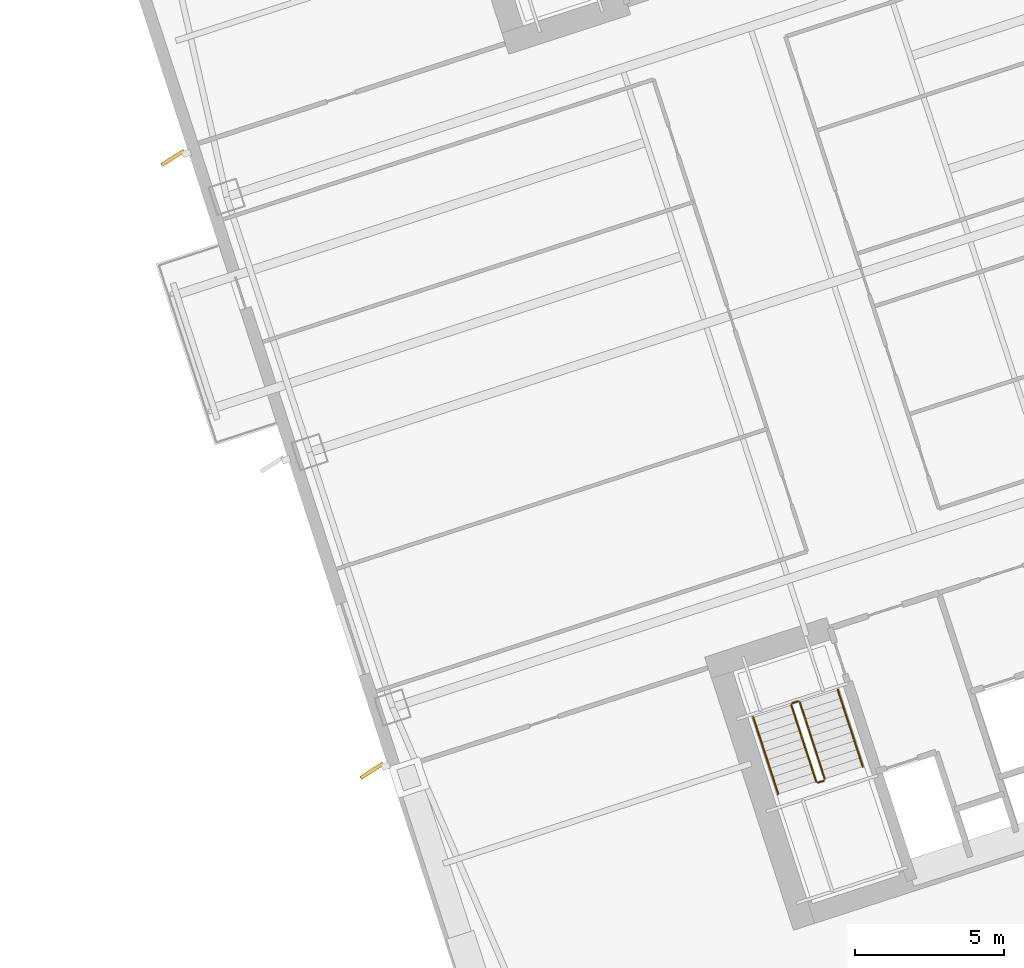
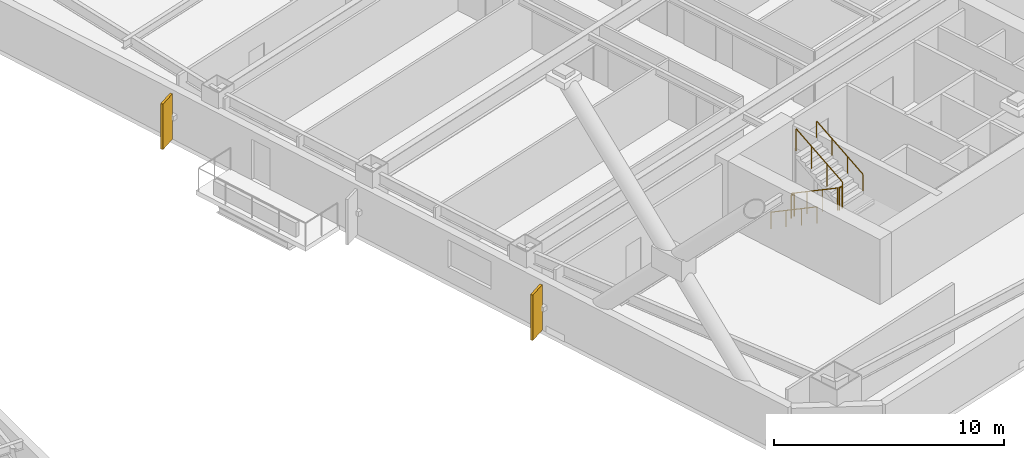
# One storey, part 16 of 18: 6 railings, 2 shading devices.
"""IFC4 building model written with IfcOpenShell, lengths in metres."""

from ifc_helpers import new_model, si_unit, direction, frame, origin, origin_2d, place, context, subcontext, project, spatial, rectangle, circle, extrude, material, layer, layer_set, type_object, element, save


model = new_model("IFC4")

# Units and contexts
model_context = context("Model", 3, precision=1e-05, world=origin(), true_north=direction((0.0, 1.0)))
body_context = subcontext(model_context, "Body", "Model", "MODEL_VIEW")
ifc_project = project(units=[si_unit("LENGTHUNIT", "METRE"), si_unit("AREAUNIT", "SQUARE_METRE"), si_unit("VOLUMEUNIT", "CUBIC_METRE"), si_unit("PLANEANGLEUNIT", "RADIAN"), si_unit("MASSUNIT", "GRAM", prefix="KILO")], contexts=[model_context])

# Site, building, storey
site_placement = place(None, origin())
site = spatial("IfcSite", under=ifc_project, at=site_placement, CompositionType="ELEMENT")
building_placement = place(site_placement, origin())
building = spatial("IfcBuilding", under=site, at=building_placement, Name="Qiaolan Cultural Towers", CompositionType="ELEMENT")
storey_placement = place(building_placement, frame((0.0, 0.0, 57.5)))
storey = spatial("IfcBuildingStorey", under=building, at=storey_placement, Name="L13", CompositionType="ELEMENT", Elevation=57.5)

# Railings
ifc_material_1 = material(Name="Galvanized Painted Steel Stair Guardrail", Category="steel")
railing_type_1 = type_object("IfcRailingType", Name="RL-STAIR-GRD", PredefinedType="GUARDRAIL", material=ifc_material_1)
railing_1_placement = place(storey_placement, frame((88.60205078125, 19.82421875, 0.172607421875)))
element("IfcRailing", 1, at=railing_1_placement, inside=storey, type_object=railing_type_1, Name="L13 ST-E1 stair guard 1", PredefinedType="GUARDRAIL", context=body_context, shape_type="SweptSolid", body=[
    extrude(circle(Radius=0.02392578125, at=origin_2d()), frame((0.0, 0.0, 1.17578125), z_axis=(0.267925668498, -0.824471088726, 0.498460891159), x_axis=(0.951043371037, 0.309057448393, 0.0)), (0.0, 0.0, 1.0), 3.114501953125),
    extrude(circle(Radius=0.02099609375, at=origin_2d()), origin(), (0.0, 0.0, 1.0), 1.15185546875),
    extrude(circle(Radius=0.02099609375, at=origin_2d()), frame((0.278076171875, -0.85595703125, 0.517578125)), (0.0, 0.0, 1.0), 1.15185546875),
    extrude(circle(Radius=0.02099609375, at=origin_2d()), frame((0.556396484375, -1.7119140625, 1.034912109375)), (0.0, 0.0, 1.0), 1.15185546875),
    extrude(circle(Radius=0.02099609375, at=origin_2d()), frame((0.83447265625, -2.56787109375, 1.552490234375)), (0.0, 0.0, 1.0), 1.15185546875),
])
railing_2_placement = place(storey_placement, frame((89.49951171875, 17.224365234375, 1.72509765625)))
element("IfcRailing", 2, at=railing_2_placement, inside=storey, type_object=railing_type_1, Name="L13 ST-E1 stair guard 2", PredefinedType="GUARDRAIL", context=body_context, shape_type="SweptSolid", body=[
    extrude(circle(Radius=0.02392578125, at=origin_2d()), frame((0.0, 0.0, 1.17578125), z_axis=(0.951096855055, 0.308892816854, 0.0), x_axis=(-0.308892816854, 0.951096855055, 0.0)), (0.0, 0.0, 1.0), 0.199951171875),
    extrude(circle(Radius=0.02099609375, at=origin_2d()), origin(), (0.0, 0.0, 1.0), 1.15185546875),
    extrude(circle(Radius=0.02099609375, at=origin_2d()), frame((0.190185546875, 0.061767578125, 0.0)), (0.0, 0.0, 1.0), 1.15185546875),
])
railing_3_placement = place(storey_placement, frame((89.721923828125, 17.34912109375, 1.8974609375)))
element("IfcRailing", 3, at=railing_3_placement, inside=storey, type_object=railing_type_1, Name="L13 ST-E1 stair guard 3", PredefinedType="GUARDRAIL", context=body_context, shape_type="SweptSolid", body=[
    extrude(circle(Radius=0.02392578125, at=origin_2d()), frame((0.0, 0.0, 1.17578125), z_axis=(-0.267925668498, 0.824471088726, 0.498460891159), x_axis=(-0.951043371037, -0.309057448393, 0.0)), (0.0, 0.0, 1.0), 3.114501953125),
    extrude(circle(Radius=0.02099609375, at=origin_2d()), origin(), (0.0, 0.0, 1.0), 1.15185546875),
    extrude(circle(Radius=0.02099609375, at=origin_2d()), frame((-0.278076171875, 0.85595703125, 0.517578125)), (0.0, 0.0, 1.0), 1.15185546875),
    extrude(circle(Radius=0.02099609375, at=origin_2d()), frame((-0.556396484375, 1.7119140625, 1.034912109375)), (0.0, 0.0, 1.0), 1.15185546875),
    extrude(circle(Radius=0.02099609375, at=origin_2d()), frame((-0.83447265625, 2.56787109375, 1.552490234375)), (0.0, 0.0, 1.0), 1.15185546875),
])
railing_4_placement = place(storey_placement, frame((88.63427734375, 19.88720703125, 0.0)))
element("IfcRailing", 4, at=railing_4_placement, inside=storey, type_object=railing_type_1, Name="L13 ST-E1 stair guard 4", PredefinedType="GUARDRAIL", context=body_context, shape_type="SweptSolid", body=[
    extrude(circle(Radius=0.02392578125, at=origin_2d()), frame((0.0, 0.0, 1.17578125), z_axis=(0.951096855055, 0.308892816854, 0.0), x_axis=(-0.308892816854, 0.951096855055, 0.0)), (0.0, 0.0, 1.0), 0.199951171875),
    extrude(circle(Radius=0.02099609375, at=origin_2d()), origin(), (0.0, 0.0, 1.0), 1.15185546875),
    extrude(circle(Radius=0.02099609375, at=origin_2d()), frame((0.190185546875, 0.061767578125, 0.0)), (0.0, 0.0, 1.0), 1.15185546875),
])
ifc_material_2 = material(Name="Stainless Steel S30408 Tubular Handrail", Category="steel")
railing_type_2 = type_object("IfcRailingType", Name="RL-STAIR-HR", PredefinedType="HANDRAIL", material=ifc_material_2)
railing_5_placement = place(storey_placement, frame((87.32763671875, 19.41015625, 0.172607421875)))
element("IfcRailing", 5, at=railing_5_placement, inside=storey, type_object=railing_type_2, Name="L13 ST-E1 stair handrail 1", PredefinedType="HANDRAIL", context=body_context, shape_type="SweptSolid", body=[
    extrude(circle(Radius=0.02392578125, at=origin_2d()), frame((0.0, 0.0, 0.8759765625), z_axis=(0.267925668498, -0.824471088726, 0.498460891159), x_axis=(0.951043371037, 0.309057448393, 0.0)), (0.0, 0.0, 1.0), 3.114501953125),
    extrude(circle(Radius=0.02099609375, at=origin_2d()), origin(), (0.0, 0.0, 1.0), 0.851806640625),
    extrude(circle(Radius=0.02099609375, at=origin_2d()), frame((0.278076171875, -0.85595703125, 0.517578125)), (0.0, 0.0, 1.0), 0.851806640625),
    extrude(circle(Radius=0.02099609375, at=origin_2d()), frame((0.556396484375, -1.7119140625, 1.034912109375)), (0.0, 0.0, 1.0), 0.851806640625),
    extrude(circle(Radius=0.02099609375, at=origin_2d()), frame((0.83447265625, -2.56787109375, 1.552490234375)), (0.0, 0.0, 1.0), 0.851806640625),
])
railing_6_placement = place(storey_placement, frame((90.996337890625, 17.76318359375, 1.8974609375)))
element("IfcRailing", 6, at=railing_6_placement, inside=storey, type_object=railing_type_2, Name="L13 ST-E1 stair handrail 2", PredefinedType="HANDRAIL", context=body_context, shape_type="SweptSolid", body=[
    extrude(circle(Radius=0.02392578125, at=origin_2d()), frame((0.0, 0.0, 0.8759765625), z_axis=(-0.267925668498, 0.824471088726, 0.498460891159), x_axis=(-0.951043371037, -0.309057448393, 0.0)), (0.0, 0.0, 1.0), 3.114501953125),
    extrude(circle(Radius=0.02099609375, at=origin_2d()), origin(), (0.0, 0.0, 1.0), 0.851806640625),
    extrude(circle(Radius=0.02099609375, at=origin_2d()), frame((-0.278076171875, 0.85595703125, 0.517578125)), (0.0, 0.0, 1.0), 0.851806640625),
    extrude(circle(Radius=0.02099609375, at=origin_2d()), frame((-0.556396484375, 1.7119140625, 1.034912109375)), (0.0, 0.0, 1.0), 0.851806640625),
    extrude(circle(Radius=0.02099609375, at=origin_2d()), frame((-0.83447265625, 2.56787109375, 1.552490234375)), (0.0, 0.0, 1.0), 0.851806640625),
])

# Shading devices
ifc_material_3 = material(Name="Dark Basalt Honed Precast Terracotta Fin", Category="masonry")
ifc_layer = layer(ifc_material_3, 0.1201171875)
ifc_layer_set = layer_set([ifc_layer], Name="Dark Basalt Honed Precast Terracotta Fin")
shading_device_type = type_object("IfcShadingDeviceType", Name="SHD-FIN-DARK", PredefinedType="USERDEFINED", material=ifc_layer_set)
for number, where, z_axis, x_axis, name in (
    (7, (74.54443359375, 17.622314453125, 0.10009765625), (0.0, 0.0, 1.0), (0.840830135782, 0.54129906961, 0.0), "L13 T2 Expressive Precast Vertical Fin W1"),
    (8, (67.86962890625, 38.165283203125, 0.10009765625), (0.0, 0.0, 1.0), (0.840830135782, 0.54129906961, 0.0), "L13 T2 Expressive Precast Vertical Fin W3"),
):
    element("IfcShadingDevice", number, at=place(storey_placement, frame(where, z_axis=z_axis, x_axis=x_axis)), inside=storey, type_object=shading_device_type, Name=name, ObjectType="FIN", PredefinedType="USERDEFINED", context=body_context, shape_type="SweptSolid", body=[
        extrude(rectangle(XDim=0.89990234375, YDim=0.1201171875, at=origin_2d()), origin(), (0.0, 0.0, 1.0), 2.409912109375),
    ])

save(model, "model.ifc")
